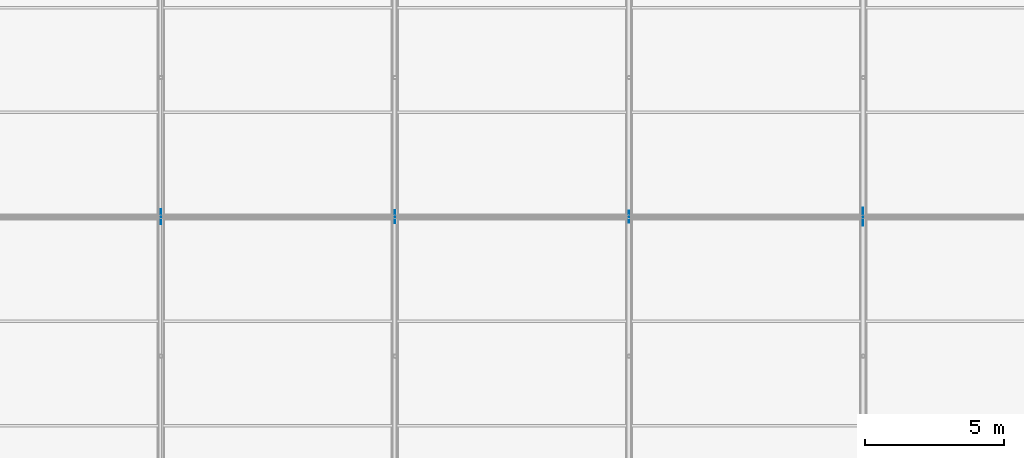
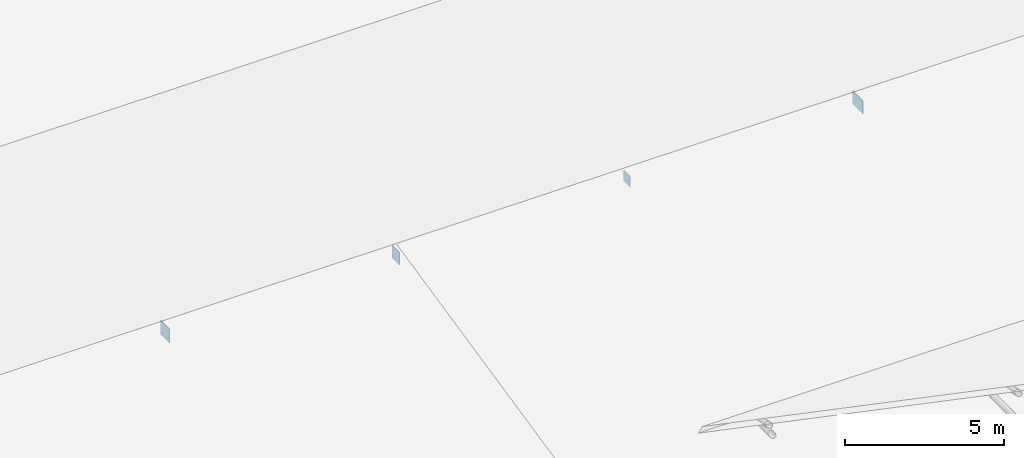
# One storey, part 181 of 194: 4 plates.
"""IFC4 building model written with IfcOpenShell, lengths in metres."""

from ifc_helpers import new_model, si_unit, direction, frame, origin, origin_2d, place, context, subcontext, project, spatial, rectangle, extrude, material, layer, layer_set, type_object, element, save


model = new_model("IFC4")

# Units and contexts
model_context = context("Model", 3, precision=1e-05, world=origin(), true_north=direction((0.0, 1.0)))
body_context = subcontext(model_context, "Body", "Model", "MODEL_VIEW")
ifc_project = project(units=[si_unit("LENGTHUNIT", "METRE"), si_unit("AREAUNIT", "SQUARE_METRE"), si_unit("VOLUMEUNIT", "CUBIC_METRE"), si_unit("PLANEANGLEUNIT", "RADIAN"), si_unit("MASSUNIT", "GRAM", prefix="KILO")], contexts=[model_context])

# Site, building, storey
site_placement = place(None, origin())
site = spatial("IfcSite", under=ifc_project, at=site_placement, CompositionType="ELEMENT")
building_placement = place(site_placement, origin())
building = spatial("IfcBuilding", under=site, at=building_placement, Name="Kazenagashi Tramway Depot", CompositionType="ELEMENT")
storey_placement = place(building_placement, frame((0.0, 0.0, 23.7)))
storey = spatial("IfcBuildingStorey", under=building, at=storey_placement, Name="ROOF", CompositionType="ELEMENT", Elevation=23.7)

# Plates
ifc_material = material(Name="Steel SN490B", Category="steel")
ifc_layer_1 = layer(ifc_material, 0.022)
ifc_layer_set_1 = layer_set([ifc_layer_1], Name="Steel SN490B")
plate_type_1 = type_object("IfcPlateType", Name="GP-01", PredefinedType="USERDEFINED", material=ifc_layer_set_1)
plate_1_placement = place(storey_placement, frame((162.4, 85.0, -10.875), z_axis=(0.0, 0.0, 1.0), x_axis=(0.0, 1.0, 0.0)))
element("IfcPlate", 1, at=plate_1_placement, inside=storey, type_object=plate_type_1, Name="Structural Node Plate GP-01 PLT-0057", ObjectType="GUSSET PLATE", PredefinedType="USERDEFINED", context=body_context, shape_type="SweptSolid", body=[
    extrude(rectangle(XDim=0.55, YDim=0.022, at=origin_2d()), origin(), (0.0, 0.0, 1.0), 0.55),
])
ifc_layer_2 = layer(ifc_material, 0.019)
ifc_layer_set_2 = layer_set([ifc_layer_2], Name="Steel SN490B")
plate_type_2 = type_object("IfcPlateType", Name="GP-02", PredefinedType="USERDEFINED", material=ifc_layer_set_2)
plate_2_placement = place(storey_placement, frame((170.8, 85.0, -10.84), z_axis=(0.0, 0.0, 1.0), x_axis=(0.0, 1.0, 0.0)))
element("IfcPlate", 2, at=plate_2_placement, inside=storey, type_object=plate_type_2, Name="Structural Node Plate GP-02 PLT-0061", ObjectType="GUSSET PLATE", PredefinedType="USERDEFINED", context=body_context, shape_type="SweptSolid", body=[
    extrude(rectangle(XDim=0.48, YDim=0.019, at=origin_2d()), origin(), (0.0, 0.0, 1.0), 0.48),
])
ifc_layer_3 = layer(ifc_material, 0.016)
ifc_layer_set_3 = layer_set([ifc_layer_3], Name="Steel SN490B")
plate_type_3 = type_object("IfcPlateType", Name="GP-03", PredefinedType="USERDEFINED", material=ifc_layer_set_3)
plate_3_placement = place(storey_placement, frame((179.2, 85.0, -10.81), z_axis=(0.0, 0.0, 1.0), x_axis=(0.0, 1.0, 0.0)))
element("IfcPlate", 3, at=plate_3_placement, inside=storey, type_object=plate_type_3, Name="Structural Node Plate GP-03 PLT-0065", ObjectType="GUSSET PLATE", PredefinedType="USERDEFINED", context=body_context, shape_type="SweptSolid", body=[
    extrude(rectangle(XDim=0.42, YDim=0.016, at=origin_2d()), origin(), (0.0, 0.0, 1.0), 0.42),
])
ifc_layer_4 = layer(ifc_material, 0.025)
ifc_layer_set_4 = layer_set([ifc_layer_4], Name="Steel SN490B")
plate_type_4 = type_object("IfcPlateType", Name="GP-04", PredefinedType="USERDEFINED", material=ifc_layer_set_4)
plate_4_placement = place(storey_placement, frame((187.6, 85.0, -10.85), z_axis=(0.0, 0.0, 1.0), x_axis=(0.0, 1.0, 0.0)))
element("IfcPlate", 4, at=plate_4_placement, inside=storey, type_object=plate_type_4, Name="Structural Node Plate GP-04 PLT-0069", ObjectType="GUSSET PLATE", PredefinedType="USERDEFINED", context=body_context, shape_type="SweptSolid", body=[
    extrude(rectangle(XDim=0.65, YDim=0.025, at=origin_2d()), origin(), (0.0, 0.0, 1.0), 0.5),
])

save(model, "model.ifc")
